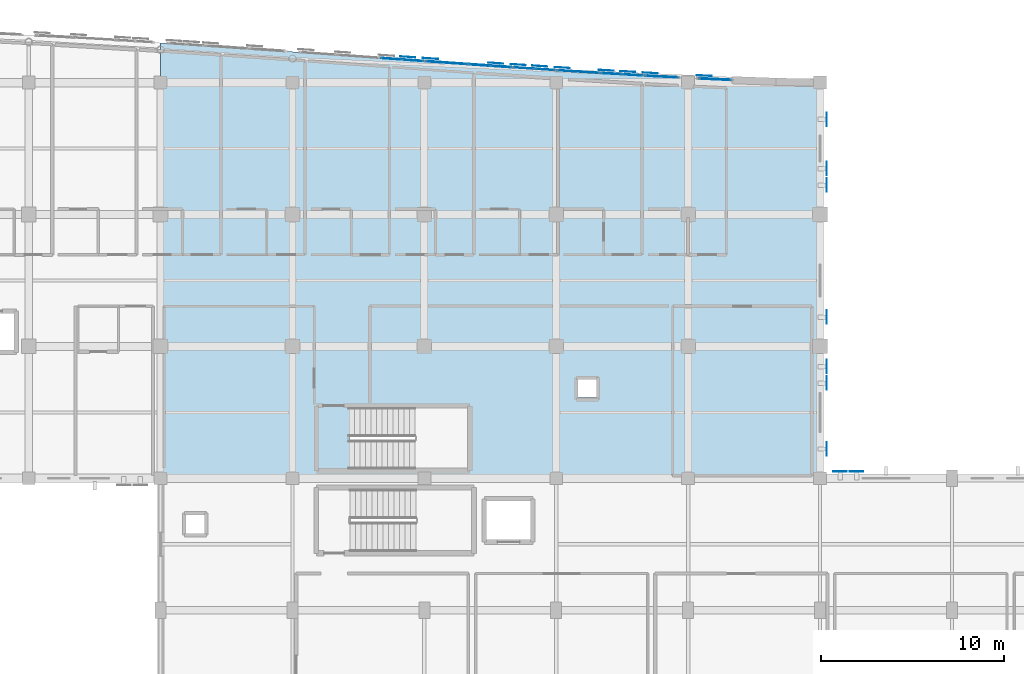
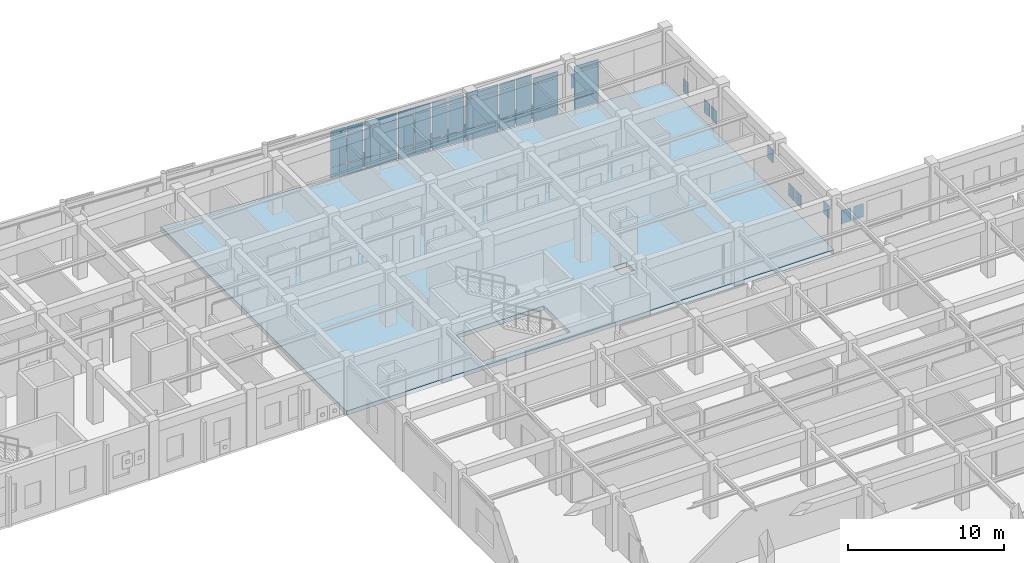
# One storey, part 69 of 106: 55 plates, 1 slab, 8 elements without a shape of their own.
"""IFC4 building model written with IfcOpenShell, lengths in metres."""

from ifc_helpers import new_model, si_unit, direction, frame, origin, origin_2d, place, context, subcontext, project, spatial, polyline, rectangle, outline, extrude, material, layer, layer_set, type_object, element, aggregate, save


model = new_model("IFC4")

# Units and contexts
model_context = context("Model", 3, precision=1e-05, world=origin(), true_north=direction((0.0, 1.0)))
body_context = subcontext(model_context, "Body", "Model", "MODEL_VIEW")
ifc_project = project(units=[si_unit("LENGTHUNIT", "METRE"), si_unit("AREAUNIT", "SQUARE_METRE"), si_unit("VOLUMEUNIT", "CUBIC_METRE"), si_unit("PLANEANGLEUNIT", "RADIAN"), si_unit("MASSUNIT", "GRAM", prefix="KILO")], contexts=[model_context])

# Site, building, storey
site_placement = place(None, origin())
site = spatial("IfcSite", under=ifc_project, at=site_placement, CompositionType="ELEMENT")
building_placement = place(site_placement, origin())
building = spatial("IfcBuilding", under=site, at=building_placement, Name="Carrowvane Square Congress Hotel", CompositionType="ELEMENT")
storey_placement = place(building_placement, frame((0.0, 0.0, 10.5)))
storey = spatial("IfcBuildingStorey", under=building, at=storey_placement, Name="L02", CompositionType="ELEMENT", Elevation=10.5)

# Curtain wall, plates
ifc_material_1 = material(Name="Anodised aluminium", Category="aluminium")
ifc_layer_1 = layer(ifc_material_1, 0.24609375)
ifc_layer_set_1 = layer_set([ifc_layer_1], Name="Anodised aluminium")
curtain_wall_type_1 = type_object("IfcCurtainWallType", Name="CW-SYS-8", PredefinedType="NOTDEFINED", material=ifc_layer_set_1)
curtain_wall_1_placement = place(storey_placement, origin())
curtain_wall_1 = element("IfcCurtainWall", 1, at=curtain_wall_1_placement, inside=storey, type_object=curtain_wall_type_1, Name="L02 unitised curtain wall 175", PredefinedType="NOTDEFINED")
ifc_material_2 = material(Name="Double-glazed low-E glass", Category="glass")
ifc_layer_2 = layer(ifc_material_2, 0.028076171875)
ifc_layer_set_2 = layer_set([ifc_layer_2], Name="Double-glazed low-E glass")
plate_type_1 = type_object("IfcPlateType", Name="CW-PAN-1", PredefinedType="CURTAIN_PANEL", material=ifc_layer_set_2)
plate_1_placement = place(storey_placement, frame((146.617431640625, 114.1943359375, 0.070068359375), z_axis=(0.0, 0.0, 1.0), x_axis=(0.997781495544, -0.06657392244, 0.0)))
plate_1 = element("IfcPlate", 2, at=plate_1_placement, type_object=plate_type_1, Name="CW-8 panel 1.1", PredefinedType="CURTAIN_PANEL", context=body_context, shape_type="SweptSolid", body=[
    extrude(rectangle(XDim=1.09765625, YDim=0.028076171875, at=origin_2d()), origin(), (0.0, 0.0, 1.0), 0.794921875),
])
plate_2_placement = place(storey_placement, frame((146.617431640625, 114.1943359375, 0.93505859375), z_axis=(0.0, 0.0, 1.0), x_axis=(0.997781495544, -0.06657392244, 0.0)))
plate_2 = element("IfcPlate", 3, at=plate_2_placement, type_object=plate_type_1, Name="CW-8 panel 1.2", PredefinedType="CURTAIN_PANEL", context=body_context, shape_type="SweptSolid", body=[
    extrude(rectangle(XDim=1.09765625, YDim=0.028076171875, at=origin_2d()), origin(), (0.0, 0.0, 1.0), 2.275634765625),
])
plate_3_placement = place(storey_placement, frame((146.617431640625, 114.1943359375, 3.28076171875), z_axis=(0.0, 0.0, 1.0), x_axis=(0.997781495544, -0.06657392244, 0.0)))
plate_3 = element("IfcPlate", 4, at=plate_3_placement, type_object=plate_type_1, Name="CW-8 panel 1.3", PredefinedType="CURTAIN_PANEL", context=body_context, shape_type="SweptSolid", body=[
    extrude(rectangle(XDim=1.09765625, YDim=0.028076171875, at=origin_2d()), origin(), (0.0, 0.0, 1.0), 0.445068359375),
])
plate_4_placement = place(storey_placement, frame((147.782470703125, 114.116455078125, 0.070068359375), z_axis=(0.0, 0.0, 1.0), x_axis=(0.997781495544, -0.06657392244, 0.0)))
plate_4 = element("IfcPlate", 5, at=plate_4_placement, type_object=plate_type_1, Name="CW-8 panel 2.1", PredefinedType="CURTAIN_PANEL", context=body_context, shape_type="SweptSolid", body=[
    extrude(rectangle(XDim=1.09765625, YDim=0.028076171875, at=origin_2d()), origin(), (0.0, 0.0, 1.0), 0.794921875),
])
plate_5_placement = place(storey_placement, frame((147.782470703125, 114.116455078125, 0.93505859375), z_axis=(0.0, 0.0, 1.0), x_axis=(0.997781495544, -0.06657392244, 0.0)))
plate_5 = element("IfcPlate", 6, at=plate_5_placement, type_object=plate_type_1, Name="CW-8 panel 2.2", PredefinedType="CURTAIN_PANEL", context=body_context, shape_type="SweptSolid", body=[
    extrude(rectangle(XDim=1.09765625, YDim=0.028076171875, at=origin_2d()), origin(), (0.0, 0.0, 1.0), 2.275634765625),
])
plate_6_placement = place(storey_placement, frame((147.782470703125, 114.116455078125, 3.28076171875), z_axis=(0.0, 0.0, 1.0), x_axis=(0.997781495544, -0.06657392244, 0.0)))
plate_6 = element("IfcPlate", 7, at=plate_6_placement, type_object=plate_type_1, Name="CW-8 panel 2.3", PredefinedType="CURTAIN_PANEL", context=body_context, shape_type="SweptSolid", body=[
    extrude(rectangle(XDim=1.09765625, YDim=0.028076171875, at=origin_2d()), origin(), (0.0, 0.0, 1.0), 0.445068359375),
])
aggregate(curtain_wall_1, [plate_1, plate_2, plate_3, plate_4, plate_5, plate_6])

ifc_material_3 = material(Name="Anodised aluminium", Category="aluminium")
ifc_layer_3 = layer(ifc_material_3, 0.162109375)
ifc_layer_set_3 = layer_set([ifc_layer_3], Name="Anodised aluminium")
curtain_wall_type_2 = type_object("IfcCurtainWallType", Name="CW-SYS-1", PredefinedType="NOTDEFINED", material=ifc_layer_set_3)
curtain_wall_2_placement = place(storey_placement, origin())
curtain_wall_2 = element("IfcCurtainWall", 8, at=curtain_wall_2_placement, inside=storey, type_object=curtain_wall_type_2, Name="L02 unitised curtain wall 176", PredefinedType="NOTDEFINED")
ifc_material_4 = material(Name="Double-glazed low-E glass", Category="glass")
ifc_layer_4 = layer(ifc_material_4, 0.031982421875)
ifc_layer_set_4 = layer_set([ifc_layer_4], Name="Double-glazed low-E glass")
plate_type_2 = type_object("IfcPlateType", Name="CW-PAN-2", PredefinedType="CURTAIN_PANEL", material=ifc_layer_set_4)
plate_7_placement = place(storey_placement, frame((149.60009765625, 113.999267578125, 0.06005859375), z_axis=(0.0, 0.0, 1.0), x_axis=(0.997996225303, -0.063273487972, 0.0)))
plate_7 = element("IfcPlate", 9, at=plate_7_placement, type_object=plate_type_2, Name="CW-1 panel 1.1", PredefinedType="CURTAIN_PANEL", context=body_context, shape_type="SweptSolid", body=[
    extrude(rectangle(XDim=2.284912109375, YDim=0.031982421875, at=origin_2d()), origin(), (0.0, 0.0, 1.0), 0.81005859375),
])
plate_8_placement = place(storey_placement, frame((149.60009765625, 113.999267578125, 0.929931640625), z_axis=(0.0, 0.0, 1.0), x_axis=(0.997996225303, -0.063273487972, 0.0)))
plate_8 = element("IfcPlate", 10, at=plate_8_placement, type_object=plate_type_2, Name="CW-1 panel 1.2", PredefinedType="CURTAIN_PANEL", context=body_context, shape_type="SweptSolid", body=[
    extrude(rectangle(XDim=2.284912109375, YDim=0.031982421875, at=origin_2d()), origin(), (0.0, 0.0, 1.0), 2.28564453125),
])
plate_9_placement = place(storey_placement, frame((149.60009765625, 113.999267578125, 3.275634765625), z_axis=(0.0, 0.0, 1.0), x_axis=(0.997996225303, -0.063273487972, 0.0)))
plate_9 = element("IfcPlate", 11, at=plate_9_placement, type_object=plate_type_2, Name="CW-1 panel 1.3", PredefinedType="CURTAIN_PANEL", context=body_context, shape_type="SweptSolid", body=[
    extrude(rectangle(XDim=2.284912109375, YDim=0.031982421875, at=origin_2d()), origin(), (0.0, 0.0, 1.0), 0.4599609375),
])
aggregate(curtain_wall_2, [plate_7, plate_8, plate_9])

ifc_material_5 = material(Name="Anodised aluminium", Category="aluminium")
ifc_layer_5 = layer(ifc_material_5, 0.2099609375)
ifc_layer_set_5 = layer_set([ifc_layer_5], Name="Anodised aluminium")
curtain_wall_type_3 = type_object("IfcCurtainWallType", Name="CW-SYS-5", PredefinedType="NOTDEFINED", material=ifc_layer_set_5)
curtain_wall_3_placement = place(storey_placement, origin())
curtain_wall_3 = element("IfcCurtainWall", 12, at=curtain_wall_3_placement, inside=storey, type_object=curtain_wall_type_3, Name="L02 unitised curtain wall 172", PredefinedType="NOTDEFINED")
ifc_material_6 = material(Name="Double-glazed low-E glass", Category="glass")
ifc_layer_6 = layer(ifc_material_6, 0.035888671875)
ifc_layer_set_6 = layer_set([ifc_layer_6], Name="Double-glazed low-E glass")
plate_type_3 = type_object("IfcPlateType", Name="CW-PAN-3", PredefinedType="CURTAIN_PANEL", material=ifc_layer_set_6)
plate_10_placement = place(storey_placement, frame((139.4150390625, 114.698974609375, 0.06005859375), z_axis=(0.0, 0.0, 1.0), x_axis=(0.997446152826, -0.071422490945, 0.0)))
plate_10 = element("IfcPlate", 13, at=plate_10_placement, type_object=plate_type_3, Name="CW-5 panel 1.1", PredefinedType="CURTAIN_PANEL", context=body_context, shape_type="SweptSolid", body=[
    extrude(rectangle(XDim=1.113037109375, YDim=0.035888671875, at=origin_2d()), origin(), (0.0, 0.0, 1.0), 0.81005859375),
])
plate_11_placement = place(storey_placement, frame((139.4150390625, 114.698974609375, 0.929931640625), z_axis=(0.0, 0.0, 1.0), x_axis=(0.997446152826, -0.071422490945, 0.0)))
plate_11 = element("IfcPlate", 14, at=plate_11_placement, type_object=plate_type_3, Name="CW-5 panel 1.2", PredefinedType="CURTAIN_PANEL", context=body_context, shape_type="SweptSolid", body=[
    extrude(rectangle(XDim=1.113037109375, YDim=0.035888671875, at=origin_2d()), origin(), (0.0, 0.0, 1.0), 2.28564453125),
])
plate_12_placement = place(storey_placement, frame((139.4150390625, 114.698974609375, 3.275634765625), z_axis=(0.0, 0.0, 1.0), x_axis=(0.997446152826, -0.071422490945, 0.0)))
plate_12 = element("IfcPlate", 15, at=plate_12_placement, type_object=plate_type_3, Name="CW-5 panel 1.3", PredefinedType="CURTAIN_PANEL", context=body_context, shape_type="SweptSolid", body=[
    extrude(rectangle(XDim=1.113037109375, YDim=0.035888671875, at=origin_2d()), origin(), (0.0, 0.0, 1.0), 0.4599609375),
])
plate_13_placement = place(storey_placement, frame((140.5849609375, 114.615234375, 0.06005859375), z_axis=(0.0, 0.0, 1.0), x_axis=(0.997446152826, -0.071422490945, 0.0)))
plate_13 = element("IfcPlate", 16, at=plate_13_placement, type_object=plate_type_3, Name="CW-5 panel 2.1", PredefinedType="CURTAIN_PANEL", context=body_context, shape_type="SweptSolid", body=[
    extrude(rectangle(XDim=1.113037109375, YDim=0.035888671875, at=origin_2d()), origin(), (0.0, 0.0, 1.0), 0.81005859375),
])
plate_14_placement = place(storey_placement, frame((140.5849609375, 114.615234375, 0.929931640625), z_axis=(0.0, 0.0, 1.0), x_axis=(0.997446152826, -0.071422490945, 0.0)))
plate_14 = element("IfcPlate", 17, at=plate_14_placement, type_object=plate_type_3, Name="CW-5 panel 2.2", PredefinedType="CURTAIN_PANEL", context=body_context, shape_type="SweptSolid", body=[
    extrude(rectangle(XDim=1.113037109375, YDim=0.035888671875, at=origin_2d()), origin(), (0.0, 0.0, 1.0), 2.28564453125),
])
plate_15_placement = place(storey_placement, frame((140.5849609375, 114.615234375, 3.275634765625), z_axis=(0.0, 0.0, 1.0), x_axis=(0.997446152826, -0.071422490945, 0.0)))
plate_15 = element("IfcPlate", 18, at=plate_15_placement, type_object=plate_type_3, Name="CW-5 panel 2.3", PredefinedType="CURTAIN_PANEL", context=body_context, shape_type="SweptSolid", body=[
    extrude(rectangle(XDim=1.113037109375, YDim=0.035888671875, at=origin_2d()), origin(), (0.0, 0.0, 1.0), 0.4599609375),
])
aggregate(curtain_wall_3, [plate_10, plate_11, plate_12, plate_13, plate_14, plate_15])

ifc_material_7 = material(Name="Anodised aluminium", Category="aluminium")
ifc_layer_7 = layer(ifc_material_7, 0.174072265625)
ifc_layer_set_7 = layer_set([ifc_layer_7], Name="Anodised aluminium")
curtain_wall_type_4 = type_object("IfcCurtainWallType", Name="CW-SYS-2", PredefinedType="NOTDEFINED", material=ifc_layer_set_7)
curtain_wall_4_placement = place(storey_placement, origin())
curtain_wall_4 = element("IfcCurtainWall", 19, at=curtain_wall_4_placement, inside=storey, type_object=curtain_wall_type_4, Name="L02 unitised curtain wall 177", PredefinedType="NOTDEFINED")
plate_16_placement = place(storey_placement, frame((151.41748046875, 113.88671875, 0.070068359375), z_axis=(0.0, 0.0, 1.0), x_axis=(0.99825866099, -0.058988522254, 0.0)))
plate_16 = element("IfcPlate", 20, at=plate_16_placement, type_object=plate_type_3, Name="CW-2 panel 1.1", PredefinedType="CURTAIN_PANEL", context=body_context, shape_type="SweptSolid", body=[
    extrude(rectangle(XDim=1.09716796875, YDim=0.035888671875, at=origin_2d()), origin(), (0.0, 0.0, 1.0), 0.794921875),
])
plate_17_placement = place(storey_placement, frame((151.41748046875, 113.88671875, 0.93505859375), z_axis=(0.0, 0.0, 1.0), x_axis=(0.99825866099, -0.058988522254, 0.0)))
plate_17 = element("IfcPlate", 21, at=plate_17_placement, type_object=plate_type_3, Name="CW-2 panel 1.2", PredefinedType="CURTAIN_PANEL", context=body_context, shape_type="SweptSolid", body=[
    extrude(rectangle(XDim=1.09716796875, YDim=0.035888671875, at=origin_2d()), origin(), (0.0, 0.0, 1.0), 2.275634765625),
])
plate_18_placement = place(storey_placement, frame((151.41748046875, 113.88671875, 3.28076171875), z_axis=(0.0, 0.0, 1.0), x_axis=(0.99825866099, -0.058988522254, 0.0)))
plate_18 = element("IfcPlate", 22, at=plate_18_placement, type_object=plate_type_3, Name="CW-2 panel 1.3", PredefinedType="CURTAIN_PANEL", context=body_context, shape_type="SweptSolid", body=[
    extrude(rectangle(XDim=1.09716796875, YDim=0.035888671875, at=origin_2d()), origin(), (0.0, 0.0, 1.0), 0.445068359375),
])
plate_19_placement = place(storey_placement, frame((152.58251953125, 113.81787109375, 0.070068359375), z_axis=(0.0, 0.0, 1.0), x_axis=(0.99825866099, -0.058988522254, 0.0)))
plate_19 = element("IfcPlate", 23, at=plate_19_placement, type_object=plate_type_3, Name="CW-2 panel 2.1", PredefinedType="CURTAIN_PANEL", context=body_context, shape_type="SweptSolid", body=[
    extrude(rectangle(XDim=1.09716796875, YDim=0.035888671875, at=origin_2d()), origin(), (0.0, 0.0, 1.0), 0.794921875),
])
plate_20_placement = place(storey_placement, frame((152.58251953125, 113.81787109375, 0.93505859375), z_axis=(0.0, 0.0, 1.0), x_axis=(0.99825866099, -0.058988522254, 0.0)))
plate_20 = element("IfcPlate", 24, at=plate_20_placement, type_object=plate_type_3, Name="CW-2 panel 2.2", PredefinedType="CURTAIN_PANEL", context=body_context, shape_type="SweptSolid", body=[
    extrude(rectangle(XDim=1.09716796875, YDim=0.035888671875, at=origin_2d()), origin(), (0.0, 0.0, 1.0), 2.275634765625),
])
plate_21_placement = place(storey_placement, frame((152.58251953125, 113.81787109375, 3.28076171875), z_axis=(0.0, 0.0, 1.0), x_axis=(0.99825866099, -0.058988522254, 0.0)))
plate_21 = element("IfcPlate", 25, at=plate_21_placement, type_object=plate_type_3, Name="CW-2 panel 2.3", PredefinedType="CURTAIN_PANEL", context=body_context, shape_type="SweptSolid", body=[
    extrude(rectangle(XDim=1.09716796875, YDim=0.035888671875, at=origin_2d()), origin(), (0.0, 0.0, 1.0), 0.445068359375),
])
aggregate(curtain_wall_4, [plate_16, plate_17, plate_18, plate_19, plate_20, plate_21])

ifc_material_8 = material(Name="Anodised aluminium", Category="aluminium")
ifc_layer_8 = layer(ifc_material_8, 0.221923828125)
ifc_layer_set_8 = layer_set([ifc_layer_8], Name="Anodised aluminium")
curtain_wall_type_5 = type_object("IfcCurtainWallType", Name="CW-SYS-6", PredefinedType="NOTDEFINED", material=ifc_layer_set_8)
curtain_wall_5_placement = place(storey_placement, origin())
curtain_wall_5 = element("IfcCurtainWall", 26, at=curtain_wall_5_placement, inside=storey, type_object=curtain_wall_type_5, Name="L02 unitised curtain wall 173", PredefinedType="NOTDEFINED")
ifc_material_9 = material(Name="Double-glazed low-E glass", Category="glass")
ifc_layer_9 = layer(ifc_material_9, 0.0419921875)
ifc_layer_set_9 = layer_set([ifc_layer_9], Name="Double-glazed low-E glass")
plate_type_4 = type_object("IfcPlateType", Name="CW-PAN-4", PredefinedType="CURTAIN_PANEL", material=ifc_layer_set_9)
plate_22_placement = place(storey_placement, frame((142.39990234375, 114.486328125, 0.070068359375), z_axis=(0.0, 0.0, 1.0), x_axis=(0.997505697746, -0.070585996942, 0.0)))
plate_22 = element("IfcPlate", 27, at=plate_22_placement, type_object=plate_type_4, Name="CW-6 panel 1.1", PredefinedType="CURTAIN_PANEL", context=body_context, shape_type="SweptSolid", body=[
    extrude(rectangle(XDim=2.26611328125, YDim=0.0419921875, at=origin_2d()), origin(), (0.0, 0.0, 1.0), 0.794921875),
])
plate_23_placement = place(storey_placement, frame((142.39990234375, 114.486328125, 0.93505859375), z_axis=(0.0, 0.0, 1.0), x_axis=(0.997505697746, -0.070585996942, 0.0)))
plate_23 = element("IfcPlate", 28, at=plate_23_placement, type_object=plate_type_4, Name="CW-6 panel 1.2", PredefinedType="CURTAIN_PANEL", context=body_context, shape_type="SweptSolid", body=[
    extrude(rectangle(XDim=2.26611328125, YDim=0.0419921875, at=origin_2d()), origin(), (0.0, 0.0, 1.0), 2.275634765625),
])
plate_24_placement = place(storey_placement, frame((142.39990234375, 114.486328125, 3.28076171875), z_axis=(0.0, 0.0, 1.0), x_axis=(0.997505697746, -0.070585996942, 0.0)))
plate_24 = element("IfcPlate", 29, at=plate_24_placement, type_object=plate_type_4, Name="CW-6 panel 1.3", PredefinedType="CURTAIN_PANEL", context=body_context, shape_type="SweptSolid", body=[
    extrude(rectangle(XDim=2.26611328125, YDim=0.0419921875, at=origin_2d()), origin(), (0.0, 0.0, 1.0), 0.445068359375),
])
aggregate(curtain_wall_5, [plate_22, plate_23, plate_24])

ifc_material_10 = material(Name="Anodised aluminium", Category="aluminium")
ifc_layer_10 = layer(ifc_material_10, 0.18603515625)
ifc_layer_set_10 = layer_set([ifc_layer_10], Name="Anodised aluminium")
curtain_wall_type_6 = type_object("IfcCurtainWallType", Name="CW-SYS-3", PredefinedType="NOTDEFINED", material=ifc_layer_set_10)
curtain_wall_6_placement = place(storey_placement, origin())
curtain_wall_6 = element("IfcCurtainWall", 30, at=curtain_wall_6_placement, inside=storey, type_object=curtain_wall_type_6, Name="L02 unitised curtain wall 178", PredefinedType="NOTDEFINED")
plate_25_placement = place(storey_placement, frame((154.140380859375, 113.73095703125, 0.06005859375), z_axis=(0.0, 0.0, 1.0), x_axis=(0.99856693693, -0.053517029722, 0.0)))
plate_25 = element("IfcPlate", 31, at=plate_25_placement, type_object=plate_type_4, Name="CW-3 panel 1.1", PredefinedType="CURTAIN_PANEL", context=body_context, shape_type="SweptSolid", body=[
    extrude(rectangle(XDim=1.763671875, YDim=0.0419921875, at=origin_2d()), origin(), (0.0, 0.0, 1.0), 0.81005859375),
])
plate_26_placement = place(storey_placement, frame((154.140380859375, 113.73095703125, 0.93017578125), z_axis=(0.0, 0.0, 1.0), x_axis=(0.99856693693, -0.053517029722, 0.0)))
plate_26 = element("IfcPlate", 32, at=plate_26_placement, type_object=plate_type_4, Name="CW-3 panel 1.2", PredefinedType="CURTAIN_PANEL", context=body_context, shape_type="SweptSolid", body=[
    extrude(rectangle(XDim=1.763671875, YDim=0.0419921875, at=origin_2d()), origin(), (0.0, 0.0, 1.0), 1.945068359375),
])
plate_27_placement = place(storey_placement, frame((154.140380859375, 113.73095703125, 2.93505859375), z_axis=(0.0, 0.0, 1.0), x_axis=(0.99856693693, -0.053517029722, 0.0)))
plate_27 = element("IfcPlate", 33, at=plate_27_placement, type_object=plate_type_4, Name="CW-3 panel 1.3", PredefinedType="CURTAIN_PANEL", context=body_context, shape_type="SweptSolid", body=[
    extrude(rectangle(XDim=1.763671875, YDim=0.0419921875, at=origin_2d()), origin(), (0.0, 0.0, 1.0), 0.4599609375),
])
aggregate(curtain_wall_6, [plate_25, plate_26, plate_27])

ifc_material_11 = material(Name="Anodised aluminium", Category="aluminium")
ifc_layer_11 = layer(ifc_material_11, 0.23388671875)
ifc_layer_set_11 = layer_set([ifc_layer_11], Name="Anodised aluminium")
curtain_wall_type_7 = type_object("IfcCurtainWallType", Name="CW-SYS-7", PredefinedType="NOTDEFINED", material=ifc_layer_set_11)
curtain_wall_7_placement = place(storey_placement, origin())
curtain_wall_7 = element("IfcCurtainWall", 34, at=curtain_wall_7_placement, inside=storey, type_object=curtain_wall_type_7, Name="L02 unitised curtain wall 174", PredefinedType="NOTDEFINED")
ifc_material_12 = material(Name="Double-glazed low-E glass", Category="glass")
ifc_layer_12 = layer(ifc_material_12, 0.048095703125)
ifc_layer_set_12 = layer_set([ifc_layer_12], Name="Double-glazed low-E glass")
plate_type_5 = type_object("IfcPlateType", Name="CW-PAN-5", PredefinedType="CURTAIN_PANEL", material=ifc_layer_set_12)
plate_28_placement = place(storey_placement, frame((144.21484375, 114.35888671875, 0.06005859375), z_axis=(0.0, 0.0, 1.0), x_axis=(0.997617619706, -0.068986120725, 0.0)))
plate_28 = element("IfcPlate", 35, at=plate_28_placement, type_object=plate_type_5, Name="CW-7 panel 1.1", PredefinedType="CURTAIN_PANEL", context=body_context, shape_type="SweptSolid", body=[
    extrude(rectangle(XDim=1.11279296875, YDim=0.048095703125, at=origin_2d()), origin(), (0.0, 0.0, 1.0), 0.81005859375),
])
plate_29_placement = place(storey_placement, frame((144.21484375, 114.35888671875, 0.929931640625), z_axis=(0.0, 0.0, 1.0), x_axis=(0.997617619706, -0.068986120725, 0.0)))
plate_29 = element("IfcPlate", 36, at=plate_29_placement, type_object=plate_type_5, Name="CW-7 panel 1.2", PredefinedType="CURTAIN_PANEL", context=body_context, shape_type="SweptSolid", body=[
    extrude(rectangle(XDim=1.11279296875, YDim=0.048095703125, at=origin_2d()), origin(), (0.0, 0.0, 1.0), 2.28564453125),
])
plate_30_placement = place(storey_placement, frame((144.21484375, 114.35888671875, 3.275634765625), z_axis=(0.0, 0.0, 1.0), x_axis=(0.997617619706, -0.068986120725, 0.0)))
plate_30 = element("IfcPlate", 37, at=plate_30_placement, type_object=plate_type_5, Name="CW-7 panel 1.3", PredefinedType="CURTAIN_PANEL", context=body_context, shape_type="SweptSolid", body=[
    extrude(rectangle(XDim=1.11279296875, YDim=0.048095703125, at=origin_2d()), origin(), (0.0, 0.0, 1.0), 0.4599609375),
])
plate_31_placement = place(storey_placement, frame((145.385009765625, 114.278076171875, 0.06005859375), z_axis=(0.0, 0.0, 1.0), x_axis=(0.997617619706, -0.068986120725, 0.0)))
plate_31 = element("IfcPlate", 38, at=plate_31_placement, type_object=plate_type_5, Name="CW-7 panel 2.1", PredefinedType="CURTAIN_PANEL", context=body_context, shape_type="SweptSolid", body=[
    extrude(rectangle(XDim=1.11279296875, YDim=0.048095703125, at=origin_2d()), origin(), (0.0, 0.0, 1.0), 0.81005859375),
])
plate_32_placement = place(storey_placement, frame((145.385009765625, 114.278076171875, 0.929931640625), z_axis=(0.0, 0.0, 1.0), x_axis=(0.997617619706, -0.068986120725, 0.0)))
plate_32 = element("IfcPlate", 39, at=plate_32_placement, type_object=plate_type_5, Name="CW-7 panel 2.2", PredefinedType="CURTAIN_PANEL", context=body_context, shape_type="SweptSolid", body=[
    extrude(rectangle(XDim=1.11279296875, YDim=0.048095703125, at=origin_2d()), origin(), (0.0, 0.0, 1.0), 2.28564453125),
])
plate_33_placement = place(storey_placement, frame((145.385009765625, 114.278076171875, 3.275634765625), z_axis=(0.0, 0.0, 1.0), x_axis=(0.997617619706, -0.068986120725, 0.0)))
plate_33 = element("IfcPlate", 40, at=plate_33_placement, type_object=plate_type_5, Name="CW-7 panel 2.3", PredefinedType="CURTAIN_PANEL", context=body_context, shape_type="SweptSolid", body=[
    extrude(rectangle(XDim=1.11279296875, YDim=0.048095703125, at=origin_2d()), origin(), (0.0, 0.0, 1.0), 0.4599609375),
])
aggregate(curtain_wall_7, [plate_28, plate_29, plate_30, plate_31, plate_32, plate_33])

ifc_material_13 = material(Name="Anodised aluminium", Category="aluminium")
ifc_layer_13 = layer(ifc_material_13, 0.197998046875)
ifc_layer_set_13 = layer_set([ifc_layer_13], Name="Anodised aluminium")
curtain_wall_type_8 = type_object("IfcCurtainWallType", Name="CW-SYS-4", PredefinedType="NOTDEFINED", material=ifc_layer_set_13)
curtain_wall_8_placement = place(storey_placement, origin())
curtain_wall_8 = element("IfcCurtainWall", 41, at=curtain_wall_8_placement, inside=storey, type_object=curtain_wall_type_8, Name="L02 unitised curtain wall 179", PredefinedType="NOTDEFINED")
plate_34_placement = place(storey_placement, frame((157.072265625, 113.584228515625, 0.070068359375), z_axis=(0.0, 0.0, 1.0), x_axis=(0.998917498926, -0.04651698979, 0.0)))
plate_34 = element("IfcPlate", 42, at=plate_34_placement, type_object=plate_type_5, Name="CW-4 panel 1.1", PredefinedType="CURTAIN_PANEL", context=body_context, shape_type="SweptSolid", body=[
    extrude(rectangle(XDim=1.717529296875, YDim=0.048095703125, at=origin_2d()), origin(), (0.0, 0.0, 1.0), 0.794921875),
])
plate_35_placement = place(storey_placement, frame((157.072265625, 113.584228515625, 0.93505859375), z_axis=(0.0, 0.0, 1.0), x_axis=(0.998917498926, -0.04651698979, 0.0)))
plate_35 = element("IfcPlate", 43, at=plate_35_placement, type_object=plate_type_5, Name="CW-4 panel 1.2", PredefinedType="CURTAIN_PANEL", context=body_context, shape_type="SweptSolid", body=[
    extrude(rectangle(XDim=1.717529296875, YDim=0.048095703125, at=origin_2d()), origin(), (0.0, 0.0, 1.0), 1.93505859375),
])
plate_36_placement = place(storey_placement, frame((157.072265625, 113.584228515625, 2.93994140625), z_axis=(0.0, 0.0, 1.0), x_axis=(0.998917498926, -0.04651698979, 0.0)))
plate_36 = element("IfcPlate", 44, at=plate_36_placement, type_object=plate_type_5, Name="CW-4 panel 1.3", PredefinedType="CURTAIN_PANEL", context=body_context, shape_type="SweptSolid", body=[
    extrude(rectangle(XDim=1.717529296875, YDim=0.048095703125, at=origin_2d()), origin(), (0.0, 0.0, 1.0), 0.445068359375),
])
aggregate(curtain_wall_8, [plate_34, plate_35, plate_36])

# Plates
ifc_material_14 = material(Name="Champagne-gold anodised aluminium", Category="aluminium")
ifc_layer_14 = layer(ifc_material_14, 0.011962890625)
ifc_layer_set_14 = layer_set([ifc_layer_14], Name="Champagne-gold anodised aluminium")
plate_type_6 = type_object("IfcPlateType", Name="PLT-PIX-GOLD12", PredefinedType="SHEET", material=ifc_layer_set_14)
for number, where, z_axis, x_axis, name in (
    (45, (141.53564453125, 114.7138671875, 0.119873046875), (0.0, 0.0, 1.0), (0.997505756275, -0.070585169822, 0.0), "Champagne-gold pixel screen plate 137"),
    (46, (146.335205078125, 114.37939453125, 0.119873046875), (0.0, 0.0, 1.0), (0.997781458784, -0.066574473385, 0.0), "Champagne-gold pixel screen plate 139"),
    (47, (147.500244140625, 114.3017578125, 0.119873046875), (0.0, 0.0, 1.0), (0.997781458784, -0.066574473385, 0.0), "Champagne-gold pixel screen plate 140"),
    (48, (151.134033203125, 114.06982421875, 0.119873046875), (0.0, 0.0, 1.0), (0.998258866948, -0.05898503675, 0.0), "Champagne-gold pixel screen plate 142"),
    (49, (152.299072265625, 114.0009765625, 0.119873046875), (0.0, 0.0, 1.0), (0.998258866948, -0.05898503675, 0.0), "Champagne-gold pixel screen plate 143"),
    (50, (156.4765625, 113.778076171875, 1.58984375), (0.0, 0.0, 1.0), (0.99891730083, -0.046521243556, 0.0), "Champagne-gold pixel screen plate 145"),
):
    element("IfcPlate", number, at=place(storey_placement, frame(where, z_axis=z_axis, x_axis=x_axis)), inside=storey, type_object=plate_type_6, Name=name, PredefinedType="SHEET", context=body_context, shape_type="SweptSolid", body=[
        extrude(rectangle(XDim=0.827880859375, YDim=0.011962890625, at=origin_2d()), origin(), (0.0, 0.0, 1.0), 1.1201171875),
    ])
for number, where, z_axis, x_axis, name in (
    (51, (163.166015625, 100.60009765625, 1.52490234375), (0.0, 0.0, 1.0), (0.0, -1.0, 0.0), "Champagne-gold pixel screen plate S-149"),
    (52, (163.89990234375, 92.166015625, 1.52490234375), (0.0, 0.0, 1.0), (1.0, 0.0, 0.0), "Champagne-gold pixel screen plate S-153"),
    (53, (164.800048828125, 92.166015625, 1.52490234375), (0.0, 0.0, 1.0), (1.0, 0.0, 0.0), "Champagne-gold pixel screen plate S-154"),
):
    element("IfcPlate", number, at=place(storey_placement, frame(where, z_axis=z_axis, x_axis=x_axis)), inside=storey, type_object=plate_type_6, Name=name, PredefinedType="SHEET", context=body_context, shape_type="SweptSolid", body=[
        extrude(rectangle(XDim=0.738037109375, YDim=0.011962890625, at=origin_2d()), origin(), (0.0, 0.0, 1.0), 1.050048828125),
    ])
ifc_material_15 = material(Name="Champagne-gold anodised aluminium", Category="aluminium")
ifc_layer_15 = layer(ifc_material_15, 0.008056640625)
ifc_layer_set_15 = layer_set([ifc_layer_15], Name="Champagne-gold anodised aluminium")
plate_type_7 = type_object("IfcPlateType", Name="PLT-PIX-GOLD8", PredefinedType="SHEET", material=ifc_layer_set_15)
for number, where, z_axis, x_axis, name in (
    (54, (140.30078125, 114.800048828125, 1.58984375), (0.0, 0.0, 1.0), (0.997446326449, -0.071420066188, 0.0), "Champagne-gold pixel screen plate 136"),
    (55, (145.100341796875, 114.462158203125, 1.58984375), (0.0, 0.0, 1.0), (0.99761759323, -0.068986503591, 0.0), "Champagne-gold pixel screen plate 138"),
    (56, (148.7294921875, 114.21875, 0.119873046875), (0.0, 0.0, 1.0), (0.997996022269, -0.063276690295, 0.0), "Champagne-gold pixel screen plate 141"),
    (57, (153.528076171875, 113.927978515625, 0.119873046875), (0.0, 0.0, 1.0), (0.998566941363, -0.053516947007, 0.0), "Champagne-gold pixel screen plate 144"),
):
    element("IfcPlate", number, at=place(storey_placement, frame(where, z_axis=z_axis, x_axis=x_axis)), inside=storey, type_object=plate_type_7, Name=name, PredefinedType="SHEET", context=body_context, shape_type="SweptSolid", body=[
        extrude(rectangle(XDim=0.827880859375, YDim=0.008056640625, at=origin_2d()), origin(), (0.0, 0.0, 1.0), 1.1201171875),
    ])
for number, where, z_axis, x_axis, name in (
    (58, (163.1640625, 111.39990234375, 0.15478515625), (0.0, 0.0, 1.0), (0.0, -1.0, 0.0), "Champagne-gold pixel screen plate S-146"),
    (59, (163.1640625, 108.699951171875, 0.15478515625), (0.0, 0.0, 1.0), (0.0, -1.0, 0.0), "Champagne-gold pixel screen plate S-147"),
    (60, (163.1640625, 107.800048828125, 0.15478515625), (0.0, 0.0, 1.0), (0.0, -1.0, 0.0), "Champagne-gold pixel screen plate S-148"),
    (61, (163.1640625, 97.89990234375, 0.15478515625), (0.0, 0.0, 1.0), (0.0, -1.0, 0.0), "Champagne-gold pixel screen plate S-150"),
    (62, (163.1640625, 97.0, 0.15478515625), (0.0, 0.0, 1.0), (0.0, -1.0, 0.0), "Champagne-gold pixel screen plate S-151"),
    (63, (163.1640625, 93.39990234375, 1.52490234375), (0.0, 0.0, 1.0), (0.0, -1.0, 0.0), "Champagne-gold pixel screen plate S-152"),
):
    element("IfcPlate", number, at=place(storey_placement, frame(where, z_axis=z_axis, x_axis=x_axis)), inside=storey, type_object=plate_type_7, Name=name, PredefinedType="SHEET", context=body_context, shape_type="SweptSolid", body=[
        extrude(rectangle(XDim=0.738037109375, YDim=0.008056640625, at=origin_2d()), origin(), (0.0, 0.0, 1.0), 1.050048828125),
    ])

# Slab
ifc_material_16 = material(Name="Concrete C35/45", Category="concrete")
ifc_layer_16 = layer(ifc_material_16, 0.320068359375)
ifc_layer_set_16 = layer_set([ifc_layer_16], Name="Concrete C35/45")
slab_type = type_object("IfcSlabType", Name="SLB-FLR-320", PredefinedType="FLOOR", material=ifc_layer_set_16)
slab_placement = place(storey_placement, frame((0.0, 0.0, -0.320068359375)))
element("IfcSlab", 64, at=slab_placement, inside=storey, type_object=slab_type, Name="L02 Hotel Wing slab panel 3", PredefinedType="FLOOR", context=body_context, shape_type="SweptSolid", body=[
    extrude(outline(polyline([(126.800048828125, 91.800048828125), (162.800048828125, 91.800048828125), (162.800048828125, 113.39990234375), (160.39990234375, 113.45166015625), (158.0, 113.541015625), (155.60009765625, 113.65283203125), (153.199951171875, 113.78125), (150.800048828125, 113.923095703125), (148.39990234375, 114.075439453125), (146.0, 114.235595703125), (143.60009765625, 114.4013671875), (141.199951171875, 114.5712890625), (138.800048828125, 114.7431640625), (136.39990234375, 114.915283203125), (134.0, 115.0859375), (131.60009765625, 115.253662109375), (129.199951171875, 115.4169921875), (126.800048828125, 115.57421875), (126.800048828125, 91.800048828125)]), holes=[polyline([(137.1201171875, 92.300048828125), (143.60009765625, 92.300048828125), (143.60009765625, 95.659912109375), (137.1201171875, 95.659912109375), (137.1201171875, 92.300048828125)]), polyline([(149.60009765625, 96.199951171875), (150.60009765625, 96.199951171875), (150.60009765625, 97.199951171875), (149.60009765625, 97.199951171875), (149.60009765625, 96.199951171875)])]), origin(), (0.0, 0.0, 1.0), 0.320068359375),
])

save(model, "model.ifc")
